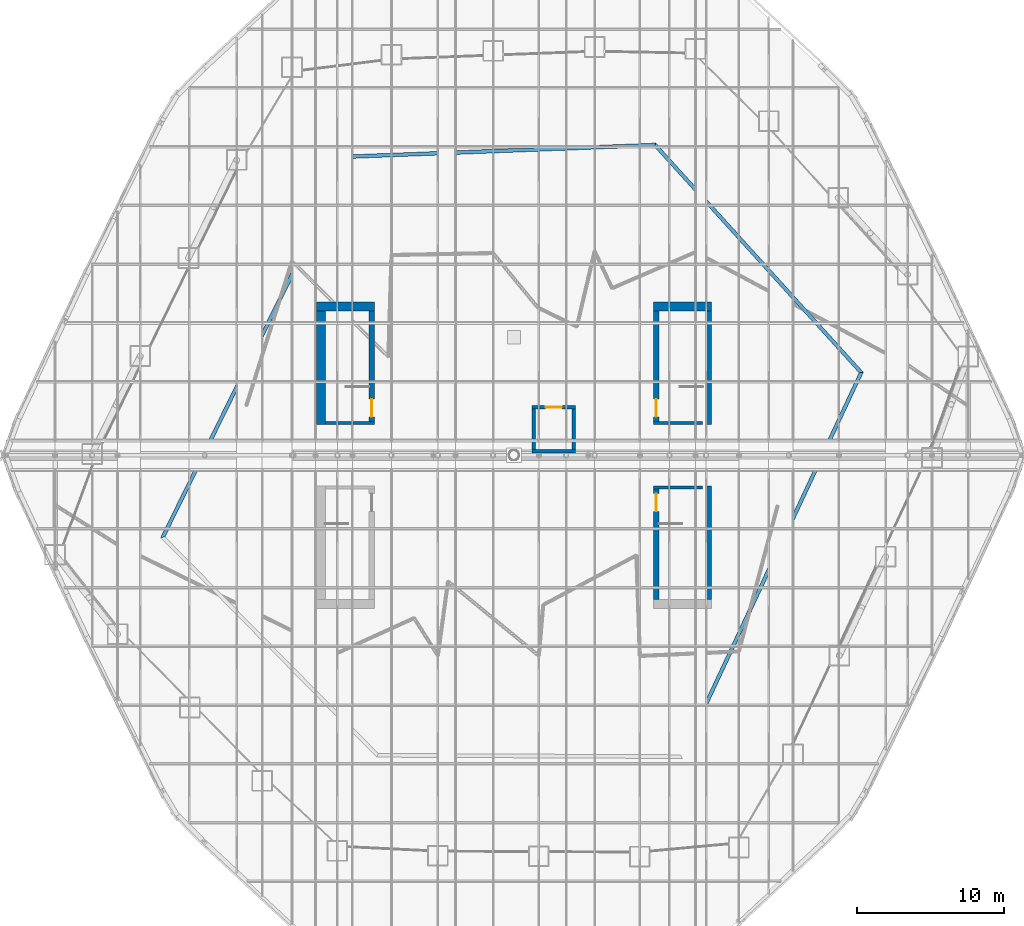
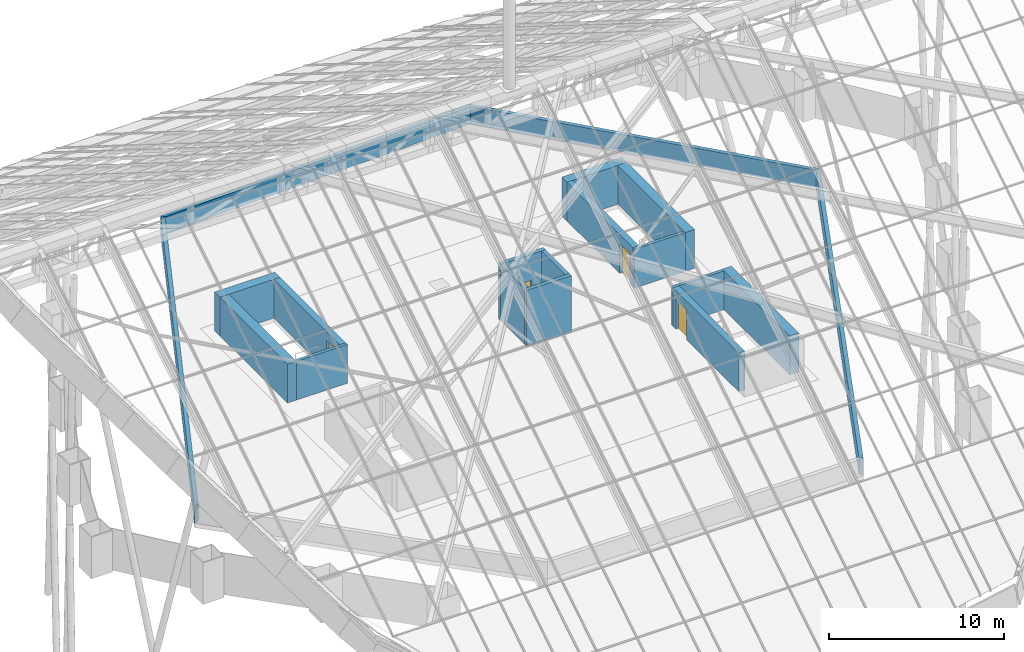
# One storey, part 36 of 38: 19 walls, 4 doors, 4 openings.
"""IFC4 building model written with IfcOpenShell, lengths in metres."""

from ifc_helpers import new_model, si_unit, direction, frame, frame_2d, origin, place, context, subcontext, project, spatial, polyline, rectangle, outline, extrude, material, layer, layer_set, type_object, element, fill, save


model = new_model("IFC4")

# Units and contexts
model_context = context("Model", 3, precision=1e-05, world=origin(), true_north=direction((0.0, 1.0)))
body_context = subcontext(model_context, "Body", "Model", "MODEL_VIEW")
ifc_project = project(units=[si_unit("LENGTHUNIT", "METRE"), si_unit("AREAUNIT", "SQUARE_METRE"), si_unit("VOLUMEUNIT", "CUBIC_METRE"), si_unit("PLANEANGLEUNIT", "RADIAN"), si_unit("MASSUNIT", "GRAM", prefix="KILO")], contexts=[model_context])

# Site, building, storey
site_placement = place(None, origin())
site = spatial("IfcSite", under=ifc_project, at=site_placement, CompositionType="ELEMENT")
building_placement = place(site_placement, origin())
building = spatial("IfcBuilding", under=site, at=building_placement, Name="Dongbaek Canopy Tower", CompositionType="ELEMENT")
storey_placement = place(building_placement, frame((0.0, 0.0, 375.800048828125)))
storey = spatial("IfcBuildingStorey", under=building, at=storey_placement, Name="Roof", CompositionType="ELEMENT", Elevation=375.800048828125)

# Walls
ifc_material_1 = material(Name="Concrete C60/75", Category="concrete")
ifc_layer_1 = layer(ifc_material_1, 0.60009765625)
ifc_layer_set_1 = layer_set([ifc_layer_1], Name="Core wall lining 600 Concrete C60/75")
wall_type_1 = type_object("IfcWallType", Name="Core wall lining 600 Concrete C60/75", PredefinedType="SHEAR", material=ifc_layer_set_1)
wall_1_placement = place(storey_placement, frame((9.449951171875, 10.10009765625, 0.0), z_axis=(0.0, 0.0, 1.0), x_axis=(1.0, 0.0, 0.0)))
element("IfcWall", 1, at=wall_1_placement, inside=storey, type_object=wall_type_1, Name="Core wall lining", PredefinedType="SHEAR", context=body_context, shape_type="SweptSolid", body=[
    extrude(rectangle(XDim=3.949951171875, YDim=0.60009765625, at=frame_2d((1.97509765625, 0.0))), origin(), (0.0, 0.0, 1.0), 2.699951171875),
])
wall_2_placement = place(storey_placement, frame((13.10009765625, 9.800048828125, 0.0), z_axis=(0.0, 0.0, 1.0), x_axis=(0.0, -1.0, 0.0)))
element("IfcWall", 2, at=wall_2_placement, inside=storey, type_object=wall_type_1, Name="Core wall lining", PredefinedType="SHEAR", context=body_context, shape_type="SweptSolid", body=[
    extrude(rectangle(XDim=7.699951171875, YDim=0.60009765625, at=frame_2d((3.85009765625, 0.0))), origin(), (0.0, 0.0, 1.0), 2.699951171875),
])
wall_3_placement = place(storey_placement, frame((-9.449951171875, 10.10009765625, 0.0), z_axis=(0.0, 0.0, 1.0), x_axis=(-1.0, 0.0, 0.0)))
element("IfcWall", 3, at=wall_3_placement, inside=storey, type_object=wall_type_1, Name="Core wall lining", PredefinedType="SHEAR", context=body_context, shape_type="SweptSolid", body=[
    extrude(rectangle(XDim=3.949951171875, YDim=0.60009765625, at=frame_2d((1.97509765625, 0.0))), origin(), (0.0, 0.0, 1.0), 2.699951171875),
])
for number, where, z_axis, x_axis, name in (
    (4, (-13.10009765625, 9.800048828125, 0.0), (0.0, 0.0, 1.0), (0.0, -1.0, 0.0), "Core wall lining"),
    (5, (13.10009765625, -9.800048828125, 0.0), (0.0, 0.0, 1.0), (0.0, 1.0, 0.0), "Core wall lining"),
):
    element("IfcWall", number, at=place(storey_placement, frame(where, z_axis=z_axis, x_axis=x_axis)), inside=storey, type_object=wall_type_1, Name=name, PredefinedType="SHEAR", context=body_context, shape_type="SweptSolid", body=[
        extrude(rectangle(XDim=7.699951171875, YDim=0.60009765625, at=frame_2d((3.85009765625, 0.0))), origin(), (0.0, 0.0, 1.0), 2.699951171875),
    ])
ifc_material_2 = material(Name="Concrete C60/75", Category="concrete")
ifc_layer_2 = layer(ifc_material_2, 0.25)
ifc_layer_set_2 = layer_set([ifc_layer_2], Name="Lift penthouse wall 250 Concrete C60/75")
wall_type_2 = type_object("IfcWallType", Name="Lift penthouse wall 250 Concrete C60/75", PredefinedType="SHEAR", material=ifc_layer_set_2)
wall_4_placement = place(storey_placement, frame((1.22509765625, 0.27490234375, 0.0), z_axis=(0.0, 0.0, 1.0), x_axis=(1.0, 0.0, 0.0)))
element("IfcWall", 6, at=wall_4_placement, inside=storey, type_object=wall_type_2, Name="Lift penthouse wall", PredefinedType="SHEAR", context=body_context, shape_type="SweptSolid", body=[
    extrude(rectangle(XDim=2.949951171875, YDim=0.25, at=frame_2d((1.47509765625, 0.0))), origin(), (0.0, 0.0, 1.0), 3.89990234375),
])

# Wall, opening, door
wall_5_placement = place(storey_placement, frame((1.22509765625, 3.25, 0.0), z_axis=(0.0, 0.0, 1.0), x_axis=(1.0, 0.0, 0.0)))
wall_5 = element("IfcWall", 7, at=wall_5_placement, inside=storey, type_object=wall_type_2, Name="Lift penthouse wall", PredefinedType="SHEAR", context=body_context, shape_type="SweptSolid", body=[
    extrude(rectangle(XDim=2.949951171875, YDim=0.25, at=frame_2d((1.47509765625, 0.0))), origin(), (0.0, 0.0, 1.0), 3.89990234375),
])
opening_1_placement = place(wall_5_placement, frame((0.925048828125, 0.0, 0.0)))
opening_1 = element("IfcOpeningElement", 8, at=opening_1_placement, cuts=wall_5, Name="Opening Roof-D005", PredefinedType="OPENING", context=body_context, shape_type="SweptSolid", body=[
    extrude(rectangle(XDim=1.10009765625, YDim=2.10009765625, at=frame_2d((0.550048828125, 1.050048828125))), frame((0.0, 0.135009765625, 0.0), z_axis=(0.0, -1.0, 0.0), x_axis=(1.0, 0.0, 0.0)), (0.0, 0.0, 1.0), 0.27001953125),
])
ifc_material_3 = material(Name="Stainless steel", Category="steel")
door_type_1 = type_object("IfcDoorType", Name="Lift landing door 1100 x 2100", OperationType="DOUBLE_DOOR_SLIDING", PredefinedType="DOOR", material=ifc_material_3)
door_1_placement = place(opening_1_placement, origin())
door_1 = element("IfcDoor", 9, at=door_1_placement, inside=storey, type_object=door_type_1, Name="Landing door SV1", OperationType="DOUBLE_DOOR_SLIDING", OverallHeight=2.10009765625, OverallWidth=1.10009765625, PredefinedType="DOOR", context=body_context, shape_type="SweptSolid", body=[
    extrude(rectangle(XDim=1.10009765625, YDim=2.10009765625, at=frame_2d((0.550048828125, 1.050048828125))), frame((0.0, 0.02490234375, 0.0), z_axis=(0.0, -1.0, 0.0), x_axis=(1.0, 0.0, 0.0)), (0.0, 0.0, 1.0), 0.050048828125),
])
fill(opening_1, door_1)

# Walls
for number, where, z_axis, x_axis, name in (
    (10, (1.35009765625, 0.39990234375, 0.0), (0.0, 0.0, 1.0), (0.0, 1.0, 0.0), "Lift penthouse wall"),
    (11, (4.050048828125, 0.39990234375, 0.0), (0.0, 0.0, 1.0), (0.0, 1.0, 0.0), "Lift penthouse wall"),
):
    element("IfcWall", number, at=place(storey_placement, frame(where, z_axis=z_axis, x_axis=x_axis)), inside=storey, type_object=wall_type_2, Name=name, PredefinedType="SHEAR", context=body_context, shape_type="SweptSolid", body=[
        extrude(rectangle(XDim=2.72509765625, YDim=0.25, at=frame_2d((1.362548828125, 0.0))), origin(), (0.0, 0.0, 1.0), 3.89990234375),
    ])
ifc_material_4 = material(Name="Precast concrete C40/50 with pale metal coping", Category="concrete")
ifc_layer_3 = layer(ifc_material_4, 0.25)
ifc_layer_set_3 = layer_set([ifc_layer_3], Name="Parapet 250")
wall_type_3 = type_object("IfcWallType", Name="Parapet 250", PredefinedType="PARAPET", material=ifc_layer_set_3)
wall_6_placement = place(storey_placement, origin())
element("IfcWall", 12, at=wall_6_placement, inside=storey, type_object=wall_type_3, Name="Parapet Roof ROOF 2", PredefinedType="PARAPET", context=body_context, shape_type="SweptSolid", body=[
    extrude(outline(polyline([(11.430908203125, -20.569091796875), (23.70166015625, 5.631591796875), (23.404541015625, 5.587158203125), (11.272216796875, -20.318359375), (11.430908203125, -20.569091796875)])), origin(), (0.0, 0.0, 1.0), 1.199951171875),
])
wall_7_placement = place(storey_placement, origin())
element("IfcWall", 13, at=wall_7_placement, inside=storey, type_object=wall_type_3, Name="Parapet Roof ROOF 3", PredefinedType="PARAPET", context=body_context, shape_type="SweptSolid", body=[
    extrude(outline(polyline([(23.70166015625, 5.631591796875), (9.6259765625, 21.17431640625), (9.51904296875, 20.919921875), (23.404541015625, 5.587158203125), (23.70166015625, 5.631591796875)])), origin(), (0.0, 0.0, 1.0), 1.199951171875),
])
wall_8_placement = place(storey_placement, origin())
element("IfcWall", 14, at=wall_8_placement, inside=storey, type_object=wall_type_3, Name="Parapet Roof ROOF 4", PredefinedType="PARAPET", context=body_context, shape_type="SweptSolid", body=[
    extrude(outline(polyline([(9.6259765625, 21.17431640625), (-11.201904296875, 20.37744140625), (-11.043212890625, 20.13330078125), (9.51904296875, 20.919921875), (9.6259765625, 21.17431640625)])), origin(), (0.0, 0.0, 1.0), 1.199951171875),
])
wall_9_placement = place(storey_placement, origin())
element("IfcWall", 15, at=wall_9_placement, inside=storey, type_object=wall_type_3, Name="Parapet Roof ROOF 5", PredefinedType="PARAPET", context=body_context, shape_type="SweptSolid", body=[
    extrude(outline(polyline([(-11.201904296875, 20.37744140625), (-23.972412109375, -5.587646484375), (-23.669677734375, -5.53857421875), (-11.043212890625, 20.13330078125), (-11.201904296875, 20.37744140625)])), origin(), (0.0, 0.0, 1.0), 1.199951171875),
])
ifc_material_5 = material(Name="Concrete C60/75", Category="concrete")
ifc_layer_4 = layer(ifc_material_5, 0.199951171875)
ifc_layer_set_4 = layer_set([ifc_layer_4], Name="Riser wall 200 Concrete C60/75")
wall_type_4 = type_object("IfcWallType", Name="Riser wall 200 Concrete C60/75", PredefinedType="SHEAR", material=ifc_layer_set_4)
for number, where, z_axis, x_axis, name in (
    (16, (9.449951171875, 2.199951171875, 0.0), (0.0, 0.0, 1.0), (1.0, 0.0, 0.0), "Riser wall"),
    (17, (-9.449951171875, 2.199951171875, 0.0), (0.0, 0.0, 1.0), (-1.0, 0.0, 0.0), "Riser wall"),
    (18, (9.449951171875, -2.199951171875, 0.0), (0.0, 0.0, 1.0), (1.0, 0.0, 0.0), "Riser wall"),
):
    element("IfcWall", number, at=place(storey_placement, frame(where, z_axis=z_axis, x_axis=x_axis)), inside=storey, type_object=wall_type_4, Name=name, PredefinedType="SHEAR", context=body_context, shape_type="SweptSolid", body=[
        extrude(rectangle(XDim=3.35009765625, YDim=0.199951171875, at=frame_2d((1.675048828125, 0.0))), origin(), (0.0, 0.0, 1.0), 2.699951171875),
    ])

# Wall, opening, door
ifc_material_6 = material(Name="Concrete C60/75", Category="concrete")
ifc_layer_5 = layer(ifc_material_6, 0.39990234375)
ifc_layer_set_5 = layer_set([ifc_layer_5], Name="Stair wall 400 Concrete C60/75")
wall_type_5 = type_object("IfcWallType", Name="Stair wall 400 Concrete C60/75", PredefinedType="SHEAR", material=ifc_layer_set_5)
wall_10_placement = place(storey_placement, frame((9.64990234375, 9.800048828125, 0.0), z_axis=(0.0, 0.0, 1.0), x_axis=(0.0, -1.0, 0.0)))
wall_10 = element("IfcWall", 19, at=wall_10_placement, inside=storey, type_object=wall_type_5, Name="Stair wall", PredefinedType="SHEAR", context=body_context, shape_type="SweptSolid", body=[
    extrude(rectangle(XDim=7.5, YDim=0.39990234375, at=frame_2d((3.75, 0.0))), origin(), (0.0, 0.0, 1.0), 2.699951171875),
])
opening_2_placement = place(wall_10_placement, frame((6.0, 0.0, 0.0)))
opening_2 = element("IfcOpeningElement", 20, at=opening_2_placement, cuts=wall_10, Name="Opening Roof-D001", PredefinedType="OPENING", context=body_context, shape_type="SweptSolid", body=[
    extrude(rectangle(XDim=1.199951171875, YDim=2.10009765625, at=frame_2d((0.60009765625, 1.050048828125))), frame((0.0, 0.2099609375, 0.0), z_axis=(0.0, -1.0, 0.0), x_axis=(1.0, 0.0, 0.0)), (0.0, 0.0, 1.0), 0.419921875),
])
ifc_material_7 = material(Name="Steel", Category="steel")
door_type_2 = type_object("IfcDoorType", Name="Stair door 1200 x 2100", OperationType="SINGLE_SWING_LEFT", PredefinedType="DOOR", material=ifc_material_7)
door_2_placement = place(opening_2_placement, origin())
door_2 = element("IfcDoor", 21, at=door_2_placement, inside=storey, type_object=door_type_2, Name="Stair A door", OperationType="SINGLE_SWING_LEFT", OverallHeight=2.10009765625, OverallWidth=1.199951171875, PredefinedType="DOOR", context=body_context, shape_type="SweptSolid", body=[
    extrude(rectangle(XDim=1.199951171875, YDim=2.10009765625, at=frame_2d((0.60009765625, 1.050048828125))), frame((0.0, 0.02490234375, 0.0), z_axis=(0.0, -1.0, 0.0), x_axis=(1.0, 0.0, 0.0)), (0.0, 0.0, 1.0), 0.050048828125),
])
fill(opening_2, door_2)

wall_11_placement = place(storey_placement, frame((-9.64990234375, 2.300048828125, 0.0), z_axis=(0.0, 0.0, 1.0), x_axis=(0.0, 1.0, 0.0)))
wall_11 = element("IfcWall", 22, at=wall_11_placement, inside=storey, type_object=wall_type_5, Name="Stair wall", PredefinedType="SHEAR", context=body_context, shape_type="SweptSolid", body=[
    extrude(rectangle(XDim=7.5, YDim=0.39990234375, at=frame_2d((3.75, 0.0))), origin(), (0.0, 0.0, 1.0), 2.699951171875),
])
opening_3_placement = place(wall_11_placement, frame((0.300048828125, 0.0, 0.0)))
opening_3 = element("IfcOpeningElement", 23, at=opening_3_placement, cuts=wall_11, Name="Opening Roof-D002", PredefinedType="OPENING", context=body_context, shape_type="SweptSolid", body=[
    extrude(rectangle(XDim=1.199951171875, YDim=2.10009765625, at=frame_2d((0.60009765625, 1.050048828125))), frame((0.0, 0.2099609375, 0.0), z_axis=(0.0, -1.0, 0.0), x_axis=(1.0, 0.0, 0.0)), (0.0, 0.0, 1.0), 0.419921875),
])
door_3_placement = place(opening_3_placement, origin())
door_3 = element("IfcDoor", 24, at=door_3_placement, inside=storey, type_object=door_type_2, Name="Stair C door", OperationType="SINGLE_SWING_RIGHT", OverallHeight=2.10009765625, OverallWidth=1.199951171875, PredefinedType="DOOR", context=body_context, shape_type="SweptSolid", body=[
    extrude(rectangle(XDim=1.199951171875, YDim=2.10009765625, at=frame_2d((0.60009765625, 1.050048828125))), frame((0.0, 0.02490234375, 0.0), z_axis=(0.0, -1.0, 0.0), x_axis=(1.0, 0.0, 0.0)), (0.0, 0.0, 1.0), 0.050048828125),
])
fill(opening_3, door_3)

wall_12_placement = place(storey_placement, frame((9.64990234375, -2.300048828125, 0.0), z_axis=(0.0, 0.0, 1.0), x_axis=(0.0, -1.0, 0.0)))
wall_12 = element("IfcWall", 25, at=wall_12_placement, inside=storey, type_object=wall_type_5, Name="Stair wall", PredefinedType="SHEAR", context=body_context, shape_type="SweptSolid", body=[
    extrude(rectangle(XDim=7.5, YDim=0.39990234375, at=frame_2d((3.75, 0.0))), origin(), (0.0, 0.0, 1.0), 2.699951171875),
])
opening_4_placement = place(wall_12_placement, frame((0.300048828125, 0.0, 0.0)))
opening_4 = element("IfcOpeningElement", 26, at=opening_4_placement, cuts=wall_12, Name="Opening Roof-D003", PredefinedType="OPENING", context=body_context, shape_type="SweptSolid", body=[
    extrude(rectangle(XDim=1.199951171875, YDim=2.10009765625, at=frame_2d((0.60009765625, 1.050048828125))), frame((0.0, 0.2099609375, 0.0), z_axis=(0.0, -1.0, 0.0), x_axis=(1.0, 0.0, 0.0)), (0.0, 0.0, 1.0), 0.419921875),
])
door_4_placement = place(opening_4_placement, origin())
door_4 = element("IfcDoor", 27, at=door_4_placement, inside=storey, type_object=door_type_2, Name="Stair B door", OperationType="SINGLE_SWING_RIGHT", OverallHeight=2.10009765625, OverallWidth=1.199951171875, PredefinedType="DOOR", context=body_context, shape_type="SweptSolid", body=[
    extrude(rectangle(XDim=1.199951171875, YDim=2.10009765625, at=frame_2d((0.60009765625, 1.050048828125))), frame((0.0, 0.02490234375, 0.0), z_axis=(0.0, -1.0, 0.0), x_axis=(1.0, 0.0, 0.0)), (0.0, 0.0, 1.0), 0.050048828125),
])
fill(opening_4, door_4)

save(model, "model.ifc")
